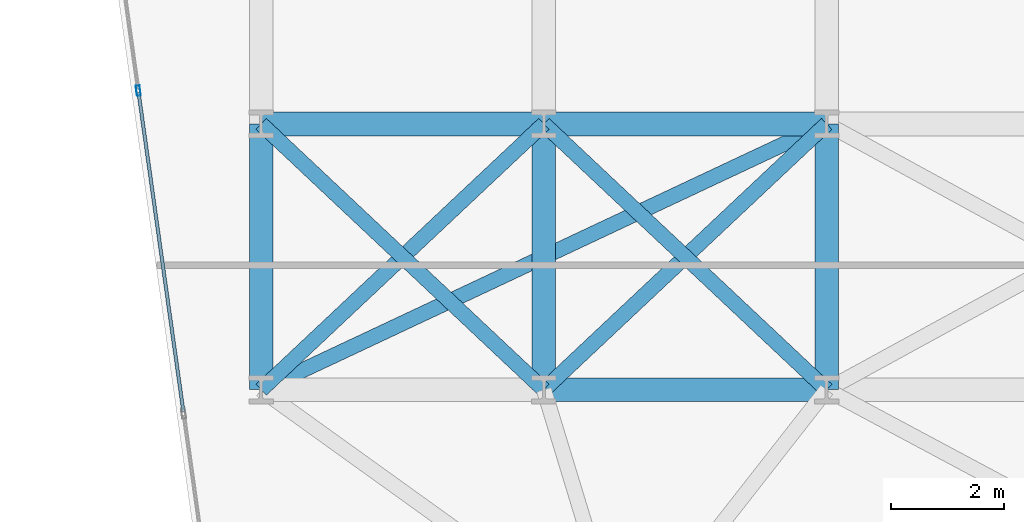
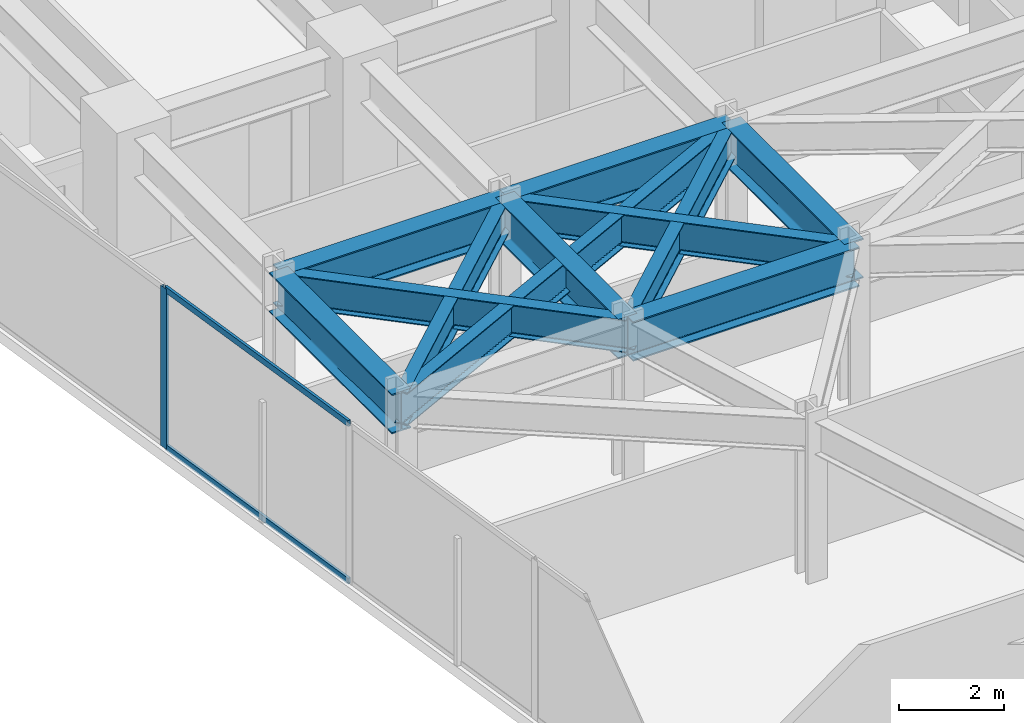
# One storey, part 8 of 24: 11 beams, 3 members, 1 element without a shape of its own.
"""IFC4 building model written with IfcOpenShell, lengths in metres."""

import ifcopenshell
import ifcopenshell.guid

model = None  # the IFC model being written
_history = None  # IfcOwnerHistory: only IFC2X3 demands one
_inside = {}  # id of a spatial element -> (the spatial element, [elements in it])
_under = {}  # id of a project, library or spatial element -> (it, [spatial elements below it])
_declared = {}  # id of a project -> (the project, [libraries it declares])
_typed = {}  # id of a type object -> (the type object, [elements of that type])
_made_of = {}  # id of a material, layer set ... -> (it, [elements and type objects made of it])


def new_model(schema):
    """Start an empty IFC model of exactly this schema.

    Asked for "IFC4X3", IfcOpenShell would pick the latest addendum, in which some entities
    have other attributes; the version numbers below select the first issue.
    IFC2X3 requires an IfcOwnerHistory on every rooted entity: one is made here for all.
    """
    global model, _history
    if schema == "IFC4X3":
        model = ifcopenshell.file(schema_version=(4, 3, 0, 0))
    else:
        model = ifcopenshell.file(schema=schema)
    _inside.clear()
    _under.clear()
    _declared.clear()
    _typed.clear()
    _made_of.clear()
    _history = None
    if model.schema == "IFC2X3":
        org = make("IfcOrganization", Name="unknown")
        user = make(
            "IfcPersonAndOrganization",
            ThePerson=make("IfcPerson", FamilyName="unknown"),
            TheOrganization=org,
        )
        app = make(
            "IfcApplication",
            ApplicationDeveloper=org,
            Version="unknown",
            ApplicationFullName="unknown",
            ApplicationIdentifier="unknown",
        )
        _history = make(
            "IfcOwnerHistory",
            OwningUser=user,
            OwningApplication=app,
            ChangeAction="ADDED",
            CreationDate=0,
        )
    return model


def make(cls, **values):
    """One entity of the class cls with the attributes given. An attribute that is None is left unset."""
    return model.create_entity(
        cls, **{name: value for name, value in values.items() if value is not None}
    )


def rooted(cls, **values):
    """An entity with a GlobalId (a new one), such as an element, a storey or a relation."""
    return make(cls, GlobalId=ifcopenshell.guid.new(), OwnerHistory=_history, **values)


def si_unit(unit_type, name, prefix=None):
    """IfcSIUnit, for example si_unit("LENGTHUNIT", "METRE", prefix="MILLI")."""
    return make("IfcSIUnit", UnitType=unit_type, Prefix=prefix, Name=name)


def assignment(units):
    """IfcUnitAssignment: the units of a project."""
    return None if units is None else make("IfcUnitAssignment", Units=units)


def point(xyz):
    """IfcCartesianPoint."""
    return None if xyz is None else make("IfcCartesianPoint", Coordinates=xyz)


def direction(xyz):
    """IfcDirection."""
    return None if xyz is None else make("IfcDirection", DirectionRatios=xyz)


def frame(location, z_axis=None, x_axis=None):
    """IfcAxis2Placement3D, a coordinate frame: its origin and axes. An axis left out is left unset."""
    return make(
        "IfcAxis2Placement3D",
        Location=point(location),
        Axis=direction(z_axis),
        RefDirection=direction(x_axis),
    )


def frame_2d(location, x_axis=None):
    """IfcAxis2Placement2D, a coordinate frame in the plane: its origin and x axis."""
    return make(
        "IfcAxis2Placement2D", Location=point(location), RefDirection=direction(x_axis)
    )


def origin():
    """The frame at (0, 0, 0) with its axes left unset."""
    return frame((0.0, 0.0, 0.0))


def origin_2d():
    """The frame at (0, 0) in the plane with its x axis left unset."""
    return frame_2d((0.0, 0.0))


def place(relative_to, where):
    """IfcLocalPlacement: puts the frame where relative to a parent placement (None: the world)."""
    return make(
        "IfcLocalPlacement", PlacementRelTo=relative_to, RelativePlacement=where
    )


def context(
    kind, dimensions, precision=None, world=None, true_north=None, identifier=None
):
    """IfcGeometricRepresentationContext, for example the 3D "Model" context."""
    return make(
        "IfcGeometricRepresentationContext",
        ContextIdentifier=identifier,
        ContextType=kind,
        CoordinateSpaceDimension=dimensions,
        Precision=precision,
        WorldCoordinateSystem=world,
        TrueNorth=true_north,
    )


def subcontext(parent, identifier, kind, view, scale=None):
    """IfcGeometricRepresentationSubContext, for example "Body" below "Model"."""
    return make(
        "IfcGeometricRepresentationSubContext",
        ContextIdentifier=identifier,
        ContextType=kind,
        ParentContext=parent,
        TargetScale=scale,
        TargetView=view,
    )


def project(units=None, contexts=None):
    """IfcProject with its units and contexts."""
    return rooted(
        "IfcProject",
        Name="project",
        RepresentationContexts=contexts,
        UnitsInContext=assignment(units),
    )


def spatial(cls, under=None, at=None, **own):
    """A site, building, storey or space (cls), placed at a placement, below another one or the project."""
    s = rooted(cls, ObjectPlacement=at, **own)
    if under is not None:
        _under.setdefault(under.id(), (under, []))[1].append(s)
    return s


def profile(cls, at=None, kind="AREA", **sizes):
    """A parametric profile (cls). Its sizes go by their IFC names, for example OverallWidth=200.0."""
    return make(cls, ProfileType=kind, Position=at, **sizes)


def hollow_rectangle(**sizes):
    """IfcRectangleHollowProfileDef."""
    return profile("IfcRectangleHollowProfileDef", **sizes)


def i_section(**sizes):
    """IfcIShapeProfileDef."""
    return profile("IfcIShapeProfileDef", **sizes)


def extrude(swept, where, along, depth):
    """IfcExtrudedAreaSolid: the profile swept, set in the frame where, extruded along a direction by depth."""
    return make(
        "IfcExtrudedAreaSolid",
        SweptArea=swept,
        Position=where,
        ExtrudedDirection=direction(along),
        Depth=depth,
    )


def shape(context_of_items, identifier, shape_type, items):
    """IfcShapeRepresentation: the items that make up one representation, for example the "Body"."""
    return make(
        "IfcShapeRepresentation",
        ContextOfItems=context_of_items,
        RepresentationIdentifier=identifier,
        RepresentationType=shape_type,
        Items=items,
    )


def material(Name=None, Category=None):
    """IfcMaterial."""
    return make("IfcMaterial", Name=Name, Category=Category)


def layer(
    of_material, thickness, ventilated=None, Name=None, Category=None, Priority=None
):
    """IfcMaterialLayer: one layer of a wall or slab, of a material (None: an air gap)."""
    return make(
        "IfcMaterialLayer",
        Material=of_material,
        LayerThickness=thickness,
        IsVentilated=ventilated,
        Name=Name,
        Category=Category,
        Priority=Priority,
    )


def layer_set(layers, Name=None):
    """IfcMaterialLayerSet."""
    return make("IfcMaterialLayerSet", MaterialLayers=layers, LayerSetName=Name)


def material_profile(
    of_material, cross_section, Name=None, Category=None, Priority=None
):
    """IfcMaterialProfile: a cross section and its material."""
    return make(
        "IfcMaterialProfile",
        Name=Name,
        Material=of_material,
        Profile=cross_section,
        Priority=Priority,
        Category=Category,
    )


def profile_set(profiles, Name=None, composite=None):
    """IfcMaterialProfileSet."""
    return make(
        "IfcMaterialProfileSet",
        Name=Name,
        MaterialProfiles=profiles,
        CompositeProfile=composite,
    )


def made_of(thing, what):
    """Note that an element or type object is made of a material, layer set ...; save() writes the relation."""
    if what is not None:
        _made_of.setdefault(what.id(), (what, []))[1].append(thing)
    return thing


def type_object(cls, material=None, **own):
    """A type object (cls), such as IfcWallType, which elements share."""
    return made_of(rooted(cls, **own), material)


def element(
    cls,
    number,
    at=None,
    inside=None,
    cuts=None,
    type_object=None,
    material=None,
    context=None,
    identifier="Body",
    shape_type=None,
    held_by="IfcProductDefinitionShape",
    body=None,
    shapes=None,
    **own,
):
    """One element of the class cls, such as IfcWall. Its Tag is "e" and its number.

    at: its placement. inside: the storey or other place that contains it. cuts: it is an
    opening in that element (IfcRelVoidsElement). A single representation is given by context,
    identifier, shape_type and body (its items); several are given by shapes. held_by: the class
    of the entity that holds the representations. save() writes the other relations.
    """
    e = rooted(cls, Tag="e%d" % number, ObjectPlacement=at, **own)
    if body is not None:
        shapes = [shape(context, identifier, shape_type, body)]
    if shapes is not None:
        e.Representation = make(held_by, Representations=shapes)
    if inside is not None:
        _inside.setdefault(inside.id(), (inside, []))[1].append(e)
    if cuts is not None:
        rooted(
            "IfcRelVoidsElement", RelatingBuildingElement=cuts, RelatedOpeningElement=e
        )
    if type_object is not None:
        _typed.setdefault(type_object.id(), (type_object, []))[1].append(e)
    return made_of(e, material)


def aggregate(whole, parts):
    """IfcRelAggregates: a whole, such as a stair, and the parts it consists of."""
    return rooted("IfcRelAggregates", RelatingObject=whole, RelatedObjects=parts)


def save(model, path):
    """Write the relations noted so far, then the file.

    IfcRelAggregates (storeys below a building ...), IfcRelContainedInSpatialStructure (elements
    in a storey), IfcRelDefinesByType, IfcRelAssociatesMaterial and IfcRelDeclares: one each for
    every whole, place, type object, material and project.
    """
    for whole, parts in _under.values():
        aggregate(whole, parts)
    for where, things in _inside.values():
        rooted(
            "IfcRelContainedInSpatialStructure",
            RelatedElements=things,
            RelatingStructure=where,
        )
    for kind, things in _typed.values():
        rooted("IfcRelDefinesByType", RelatedObjects=things, RelatingType=kind)
    for what, things in _made_of.values():
        rooted("IfcRelAssociatesMaterial", RelatedObjects=things, RelatingMaterial=what)
    for by, libraries in _declared.values():
        rooted("IfcRelDeclares", RelatingContext=by, RelatedDefinitions=libraries)
    model.write(path)


model = new_model("IFC4")

# Units and contexts
model_context = context("Model", 3, precision=1e-05, world=origin(), true_north=direction((0.0, 1.0)))
body_context = subcontext(model_context, "Body", "Model", "MODEL_VIEW")
ifc_project = project(units=[si_unit("LENGTHUNIT", "METRE"), si_unit("AREAUNIT", "SQUARE_METRE"), si_unit("VOLUMEUNIT", "CUBIC_METRE"), si_unit("PLANEANGLEUNIT", "RADIAN"), si_unit("MASSUNIT", "GRAM", prefix="KILO")], contexts=[model_context])

# Site, building, storey
site_placement = place(None, origin())
site = spatial("IfcSite", under=ifc_project, at=site_placement, CompositionType="ELEMENT")
building_placement = place(site_placement, origin())
building = spatial("IfcBuilding", under=site, at=building_placement, Name="Kravanh Interchange Tower", CompositionType="ELEMENT")
storey_placement = place(building_placement, frame((0.0, 0.0, 61.5)))
storey = spatial("IfcBuildingStorey", under=building, at=storey_placement, Name="L14", CompositionType="ELEMENT", Elevation=61.5)

# Curtain wall, members
ifc_material_1 = material(Name="Anodised Bronze Aluminium", Category="aluminium")
ifc_layer = layer(ifc_material_1, 0.179931640625)
ifc_layer_set = layer_set([ifc_layer], Name="Unitised Curtain Wall System CW-Z1 Lower Office")
curtain_wall_type = type_object("IfcCurtainWallType", Name="Unitised Curtain Wall System CW-Z1 Lower Office", PredefinedType="NOTDEFINED", material=ifc_layer_set)
curtain_wall_placement = place(storey_placement, origin())
curtain_wall = element("IfcCurtainWall", 1, at=curtain_wall_placement, inside=storey, type_object=curtain_wall_type, Name="L14 Unitised Curtain Wall CW-L14-01", PredefinedType="NOTDEFINED")
ifc_material_2 = material(Name="Anodised Bronze Aluminium", Category="aluminium")
ifc_material_profile_1 = material_profile(ifc_material_2, hollow_rectangle(XDim=0.070068359375, YDim=0.179931640625, WallThickness=0.00390625, at=origin_2d()), Name="ALU70X180X4")
ifc_profile_set_1 = profile_set([ifc_material_profile_1], Name="Anodised Bronze Aluminium")
member_type_1 = type_object("IfcMemberType", Name="Curtain Wall Mullion ALU70X180X4 Bronze", PredefinedType="MULLION", material=ifc_profile_set_1)
member_1_placement = place(storey_placement, frame((6.427490234375, 32.08935546875, 0.0), z_axis=(0.0, 0.0, 1.0), x_axis=(-0.990267585682, -0.139176538065, 0.0)))
member_1 = element("IfcMember", 2, at=member_1_placement, type_object=member_type_1, Name="CW-Z1 mullion 6", PredefinedType="MULLION", context=body_context, shape_type="SweptSolid", body=[
    extrude(hollow_rectangle(XDim=0.070068359375, YDim=0.179931640625, WallThickness=0.00390625, at=origin_2d()), origin(), (0.0, 0.0, 1.0), 3.739990234375),
])
ifc_material_3 = material(Name="Anodised Bronze Aluminium", Category="aluminium")
ifc_material_profile_2 = material_profile(ifc_material_3, hollow_rectangle(XDim=0.06005859375, YDim=0.139892578125, WallThickness=0.00390625, at=origin_2d()), Name="ALU60X140X4")
ifc_profile_set_2 = profile_set([ifc_material_profile_2], Name="Anodised Bronze Aluminium")
member_type_2 = type_object("IfcMemberType", Name="Curtain Wall Transom ALU60X140X4 Bronze", PredefinedType="USERDEFINED", material=ifc_profile_set_2)
member_2_placement = place(storey_placement, frame((7.22509765625, 26.41357421875, 0.030029296875), z_axis=(-0.139158957544, 0.990270056366, 0.0), x_axis=(-0.990270056366, -0.139158957544, 0.0)))
member_2 = element("IfcMember", 3, at=member_2_placement, type_object=member_type_2, Name="CW-Z1 transom 5.1", ObjectType="TRANSOM", PredefinedType="USERDEFINED", context=body_context, shape_type="SweptSolid", body=[
    extrude(hollow_rectangle(XDim=0.06005859375, YDim=0.139892578125, WallThickness=0.00390625, at=origin_2d()), origin(), (0.0, 0.0, 1.0), 5.696533203125),
])
member_3_placement = place(storey_placement, frame((7.22509765625, 26.41357421875, 3.7099609375), z_axis=(-0.139158957544, 0.990270056366, 0.0), x_axis=(-0.990270056366, -0.139158957544, 0.0)))
member_3 = element("IfcMember", 4, at=member_3_placement, type_object=member_type_2, Name="CW-Z1 transom 5.2", ObjectType="TRANSOM", PredefinedType="USERDEFINED", context=body_context, shape_type="SweptSolid", body=[
    extrude(hollow_rectangle(XDim=0.06005859375, YDim=0.139892578125, WallThickness=0.00390625, at=origin_2d()), origin(), (0.0, 0.0, 1.0), 5.696533203125),
])
aggregate(curtain_wall, [member_1, member_2, member_3])

# Beams
ifc_material_4 = material(Name="Structural Steel S355", Category="steel")
ifc_material_profile_3 = material_profile(ifc_material_4, i_section(OverallWidth=0.41796875, OverallDepth=0.927001953125, WebThickness=0.019287109375, FlangeThickness=0.031982421875, FilletRadius=0.028076171875, at=origin_2d()), Name="W36X231")
ifc_profile_set_3 = profile_set([ifc_material_profile_3], Name="Structural Steel S355")
beam_type_1 = type_object("IfcBeamType", Name="Floor Beam W36X231 Structural Steel S355", PredefinedType="BEAM", material=ifc_profile_set_3)
for number, where, z_axis, x_axis, name in (
    (5, (8.60009765625, 26.800048828125, 3.276611328125), (0.0, 1.0, 0.0), (-1.0, 0.0, 0.0), "L14 Primary Floor Girder 66"),
    (6, (13.60009765625, 26.800048828125, 3.276611328125), (0.0, 1.0, 0.0), (-1.0, 0.0, 0.0), "L14 Primary Floor Girder 70"),
):
    element("IfcBeam", number, at=place(storey_placement, frame(where, z_axis=z_axis, x_axis=x_axis)), inside=storey, type_object=beam_type_1, Name=name, PredefinedType="BEAM", context=body_context, shape_type="SweptSolid", body=[
        extrude(i_section(OverallWidth=0.41796875, OverallDepth=0.927001953125, WebThickness=0.019287109375, FlangeThickness=0.031982421875, FilletRadius=0.028076171875, at=origin_2d()), origin(), (0.0, 0.0, 1.0), 4.699951171875),
    ])
beam_1_placement = place(storey_placement, frame((13.60009765625, 26.800048828125, 3.276611328125), z_axis=(1.0, 0.0, 0.0), x_axis=(0.0, 1.0, 0.0)))
element("IfcBeam", 7, at=beam_1_placement, inside=storey, type_object=beam_type_1, Name="L14 Primary Floor Girder 71", PredefinedType="BEAM", context=body_context, shape_type="SweptSolid", body=[
    extrude(i_section(OverallWidth=0.41796875, OverallDepth=0.927001953125, WebThickness=0.019287109375, FlangeThickness=0.031982421875, FilletRadius=0.028076171875, at=origin_2d()), origin(), (0.0, 0.0, 1.0), 5.0),
])
beam_2_placement = place(storey_placement, frame((18.60009765625, 26.800048828125, 3.276611328125), z_axis=(0.0, 1.0, 0.0), x_axis=(-1.0, 0.0, 0.0)))
element("IfcBeam", 8, at=beam_2_placement, inside=storey, type_object=beam_type_1, Name="L14 Primary Floor Girder 74", PredefinedType="BEAM", context=body_context, shape_type="SweptSolid", body=[
    extrude(i_section(OverallWidth=0.41796875, OverallDepth=0.927001953125, WebThickness=0.019287109375, FlangeThickness=0.031982421875, FilletRadius=0.028076171875, at=origin_2d()), origin(), (0.0, 0.0, 1.0), 4.699951171875),
])
for number, where, z_axis, x_axis, name in (
    (9, (8.60009765625, 31.5, 3.276611328125), (1.0, 0.0, 0.0), (0.0, 1.0, 0.0), "L14 Primary Floor Girder 100"),
    (10, (13.60009765625, 31.5, 3.276611328125), (1.0, 0.0, 0.0), (0.0, 1.0, 0.0), "L14 Primary Floor Girder 101"),
):
    element("IfcBeam", number, at=place(storey_placement, frame(where, z_axis=z_axis, x_axis=x_axis)), inside=storey, type_object=beam_type_1, Name=name, PredefinedType="BEAM", context=body_context, shape_type="SweptSolid", body=[
        extrude(i_section(OverallWidth=0.41796875, OverallDepth=0.927001953125, WebThickness=0.019287109375, FlangeThickness=0.031982421875, FilletRadius=0.028076171875, at=origin_2d()), origin(), (0.0, 0.0, 1.0), 5.0),
    ])
ifc_material_5 = material(Name="Structural Steel S355", Category="steel")
ifc_material_profile_4 = material_profile(ifc_material_5, i_section(OverallWidth=0.26708984375, OverallDepth=0.761962890625, WebThickness=0.014404296875, FlangeThickness=0.021484375, FilletRadius=0.02490234375, at=origin_2d()), Name="W30X116")
ifc_profile_set_4 = profile_set([ifc_material_profile_4], Name="Structural Steel S355")
beam_type_2 = type_object("IfcBeamType", Name="Floor Spandrel W30X116 Structural Steel S355", PredefinedType="SPANDREL", material=ifc_profile_set_4)
beam_3_placement = place(storey_placement, frame((8.60009765625, 26.800048828125, 3.35888671875), z_axis=(0.728631219862, 0.684906231131, 0.0), x_axis=(-0.684906231131, 0.728631219862, 0.0)))
element("IfcBeam", 11, at=beam_3_placement, inside=storey, type_object=beam_type_2, Name="L14 Perimeter Spandrel 68", PredefinedType="SPANDREL", context=body_context, shape_type="SweptSolid", body=[
    extrude(i_section(OverallWidth=0.26708984375, OverallDepth=0.761962890625, WebThickness=0.014404296875, FlangeThickness=0.021484375, FilletRadius=0.02490234375, at=origin_2d()), origin(), (0.0, 0.0, 1.0), 6.862060546875),
])
beam_4_placement = place(storey_placement, frame((8.60009765625, 26.800048828125, 3.35888671875), z_axis=(0.905025402916, 0.425357520301, 0.0), x_axis=(-0.425357520301, 0.905025402916, 0.0)))
element("IfcBeam", 12, at=beam_4_placement, inside=storey, type_object=beam_type_2, Name="L14 Perimeter Spandrel 69", PredefinedType="SPANDREL", context=body_context, shape_type="SweptSolid", body=[
    extrude(i_section(OverallWidth=0.26708984375, OverallDepth=0.761962890625, WebThickness=0.014404296875, FlangeThickness=0.021484375, FilletRadius=0.02490234375, at=origin_2d()), origin(), (0.0, 0.0, 1.0), 11.04931640625),
])
for number, where, z_axis, x_axis, name in (
    (13, (13.60009765625, 26.800048828125, 3.35888671875), (-0.728631219862, 0.684906231131, 0.0), (-0.684906231131, -0.728631219862, 0.0), "L14 Perimeter Spandrel 72"),
    (14, (13.60009765625, 26.800048828125, 3.35888671875), (0.728631219862, 0.684906231131, 0.0), (-0.684906231131, 0.728631219862, 0.0), "L14 Perimeter Spandrel 73"),
    (15, (18.60009765625, 26.800048828125, 3.35888671875), (-0.728631219862, 0.684906231131, 0.0), (-0.684906231131, -0.728631219862, 0.0), "L14 Perimeter Spandrel 75"),
):
    element("IfcBeam", number, at=place(storey_placement, frame(where, z_axis=z_axis, x_axis=x_axis)), inside=storey, type_object=beam_type_2, Name=name, PredefinedType="SPANDREL", context=body_context, shape_type="SweptSolid", body=[
        extrude(i_section(OverallWidth=0.26708984375, OverallDepth=0.761962890625, WebThickness=0.014404296875, FlangeThickness=0.021484375, FilletRadius=0.02490234375, at=origin_2d()), origin(), (0.0, 0.0, 1.0), 6.862060546875),
    ])

save(model, "model.ifc")
